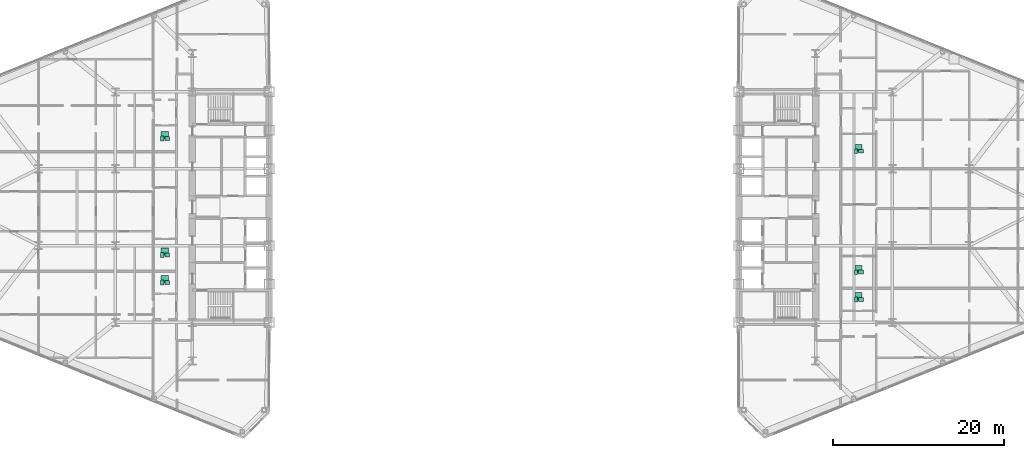
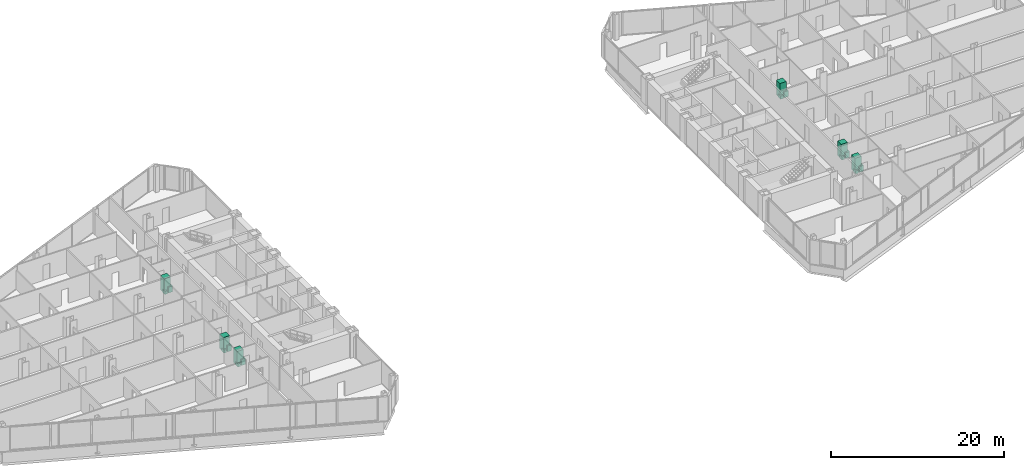
# One storey, part 26 of 26: 18 sanitary terminals.
"""IFC4 building model written with IfcOpenShell, lengths in metres."""

from ifc_helpers import new_model, si_unit, direction, frame, origin, origin_2d, place, context, subcontext, project, spatial, rectangle, extrude, source, transform, mapped, material, type_object, type_shapes, element, save


model = new_model("IFC4")

# Units and contexts
model_context = context("Model", 3, precision=1e-05, world=origin(), true_north=direction((0.0, 1.0)))
body_context = subcontext(model_context, "Body", "Model", "MODEL_VIEW")
ifc_project = project(units=[si_unit("LENGTHUNIT", "METRE"), si_unit("AREAUNIT", "SQUARE_METRE"), si_unit("VOLUMEUNIT", "CUBIC_METRE"), si_unit("PLANEANGLEUNIT", "RADIAN"), si_unit("MASSUNIT", "GRAM", prefix="KILO")], contexts=[model_context])

# Site, building, storey
site_placement = place(None, origin())
site = spatial("IfcSite", under=ifc_project, at=site_placement, CompositionType="ELEMENT")
building_placement = place(site_placement, origin())
building = spatial("IfcBuilding", under=site, at=building_placement, Name="Seokmaru Belvedere", CompositionType="ELEMENT")
storey_placement = place(building_placement, frame((0.0, 0.0, 18.89990234375)))
storey = spatial("IfcBuildingStorey", under=building, at=storey_placement, Name="L04", CompositionType="ELEMENT", Elevation=18.89990234375)

# Sanitary terminals
ifc_material_1 = material(Name="Vitreous China Sanitaryware")
sanitary_terminal_type_1 = type_object("IfcSanitaryTerminalType", Name="Wall-Hung Vitreous China WC Pan", PredefinedType="TOILETPAN", material=ifc_material_1)
shared_shape_1 = source(origin(), body_context, "Body", "SweptSolid", [
    extrude(rectangle(XDim=0.3798828125, YDim=0.56005859375, at=origin_2d()), origin(), (0.0, 0.0, 1.0), 0.419921875),
])
type_shapes(sanitary_terminal_type_1, [shared_shape_1])
for number, where, z_axis, x_axis, name in (
    (1, (-40.02490234375, -8.822021484375, 0.000244140625), (0.0, 0.0, 1.0), (1.0, 0.0, 0.0), "L04 Vitreous China WC 0012"),
    (2, (-40.02490234375, -5.611083984375, 0.000244140625), (0.0, 0.0, 1.0), (1.0, 0.0, 0.0), "L04 Vitreous China WC 0013"),
    (3, (-40.02490234375, 8.0390625, 0.000244140625), (0.0, 0.0, 1.0), (1.0, 0.0, 0.0), "L04 Vitreous China WC 0014"),
    (4, (41.22509765625, -10.822021484375, 0.000244140625), (0.0, 0.0, 1.0), (1.0, 0.0, 0.0), "L04 Vitreous China WC 0015"),
    (5, (41.22509765625, -7.611083984375, 0.000244140625), (0.0, 0.0, 1.0), (1.0, 0.0, 0.0), "L04 Vitreous China WC 0016"),
    (6, (41.22509765625, 6.5390625, 0.000244140625), (0.0, 0.0, 1.0), (1.0, 0.0, 0.0), "L04 Vitreous China WC 0017"),
):
    element("IfcSanitaryTerminal", number, at=place(storey_placement, frame(where, z_axis=z_axis, x_axis=x_axis)), inside=storey, type_object=sanitary_terminal_type_1, Name=name, PredefinedType="TOILETPAN", context=body_context, shape_type="MappedRepresentation", body=[
        mapped(shared_shape_1, transform((0.0, 0.0, 0.0), scale=1.0)),
    ])
sanitary_terminal_type_2 = type_object("IfcSanitaryTerminalType", Name="Countertop Ceramic Washhand Basin", PredefinedType="WASHHANDBASIN", material=ifc_material_1)
shared_shape_2 = source(origin(), body_context, "Body", "SweptSolid", [
    extrude(rectangle(XDim=0.550048828125, YDim=0.449951171875, at=origin_2d()), origin(), (0.0, 0.0, 1.0), 0.820068359375),
])
type_shapes(sanitary_terminal_type_2, [shared_shape_2])
for number, where, z_axis, x_axis, name in (
    (7, (-39.425048828125, -8.822021484375, 0.0), (0.0, 0.0, 1.0), (1.0, 0.0, 0.0), "L04 Ceramic Washhand Basin 0012"),
    (8, (-39.425048828125, -5.611083984375, 0.0), (0.0, 0.0, 1.0), (1.0, 0.0, 0.0), "L04 Ceramic Washhand Basin 0013"),
    (9, (-39.425048828125, 8.0390625, 0.0), (0.0, 0.0, 1.0), (1.0, 0.0, 0.0), "L04 Ceramic Washhand Basin 0014"),
    (10, (41.824951171875, -10.822021484375, 0.0), (0.0, 0.0, 1.0), (1.0, 0.0, 0.0), "L04 Ceramic Washhand Basin 0015"),
    (11, (41.824951171875, -7.611083984375, 0.0), (0.0, 0.0, 1.0), (1.0, 0.0, 0.0), "L04 Ceramic Washhand Basin 0016"),
    (12, (41.824951171875, 6.5390625, 0.0), (0.0, 0.0, 1.0), (1.0, 0.0, 0.0), "L04 Ceramic Washhand Basin 0017"),
):
    element("IfcSanitaryTerminal", number, at=place(storey_placement, frame(where, z_axis=z_axis, x_axis=x_axis)), inside=storey, type_object=sanitary_terminal_type_2, Name=name, PredefinedType="WASHHANDBASIN", context=body_context, shape_type="MappedRepresentation", body=[
        mapped(shared_shape_2, transform((0.0, 0.0, 0.0), scale=1.0)),
    ])
ifc_material_2 = material(Name="Stainless Steel 316", Category="steel")
sanitary_terminal_type_3 = type_object("IfcSanitaryTerminalType", Name="Walk-In Thermostatic Rain Shower Enclosure", PredefinedType="SHOWER", material=ifc_material_2)
shared_shape_3 = source(origin(), body_context, "Body", "SweptSolid", [
    extrude(rectangle(XDim=0.85009765625, YDim=0.85009765625, at=origin_2d()), origin(), (0.0, 0.0, 1.0), 2.050048828125),
])
type_shapes(sanitary_terminal_type_3, [shared_shape_3])
for number, where, z_axis, x_axis, name in (
    (13, (-39.72509765625, -8.44189453125, 0.0), (0.0, 0.0, 1.0), (1.0, 0.0, 0.0), "L04 Walk-In Shower 0012"),
    (14, (-39.72509765625, -5.23095703125, 0.0), (0.0, 0.0, 1.0), (1.0, 0.0, 0.0), "L04 Walk-In Shower 0013"),
    (15, (-39.72509765625, 8.4189453125, 0.0), (0.0, 0.0, 1.0), (1.0, 0.0, 0.0), "L04 Walk-In Shower 0014"),
    (16, (41.52490234375, -10.44189453125, 0.0), (0.0, 0.0, 1.0), (1.0, 0.0, 0.0), "L04 Walk-In Shower 0015"),
    (17, (41.52490234375, -7.23095703125, 0.0), (0.0, 0.0, 1.0), (1.0, 0.0, 0.0), "L04 Walk-In Shower 0016"),
    (18, (41.52490234375, 6.9189453125, 0.0), (0.0, 0.0, 1.0), (1.0, 0.0, 0.0), "L04 Walk-In Shower 0017"),
):
    element("IfcSanitaryTerminal", number, at=place(storey_placement, frame(where, z_axis=z_axis, x_axis=x_axis)), inside=storey, type_object=sanitary_terminal_type_3, Name=name, PredefinedType="SHOWER", context=body_context, shape_type="MappedRepresentation", body=[
        mapped(shared_shape_3, transform((0.0, 0.0, 0.0), scale=1.0)),
    ])

save(model, "model.ifc")
